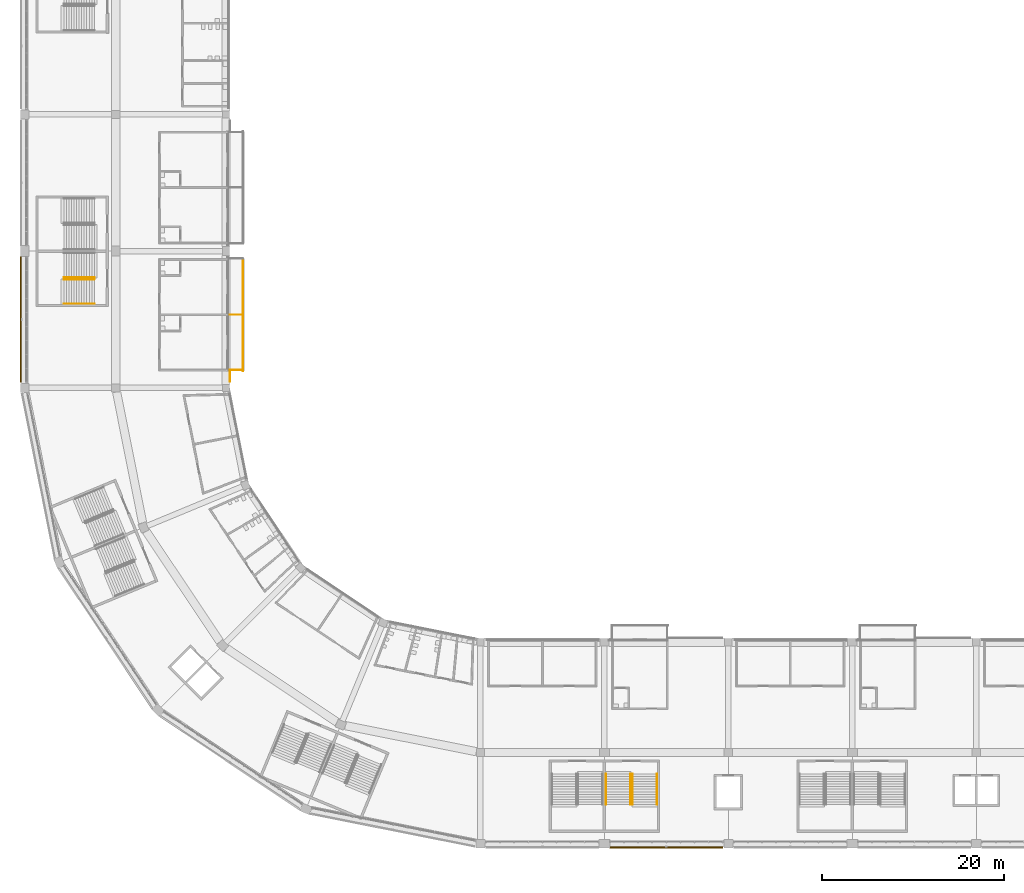
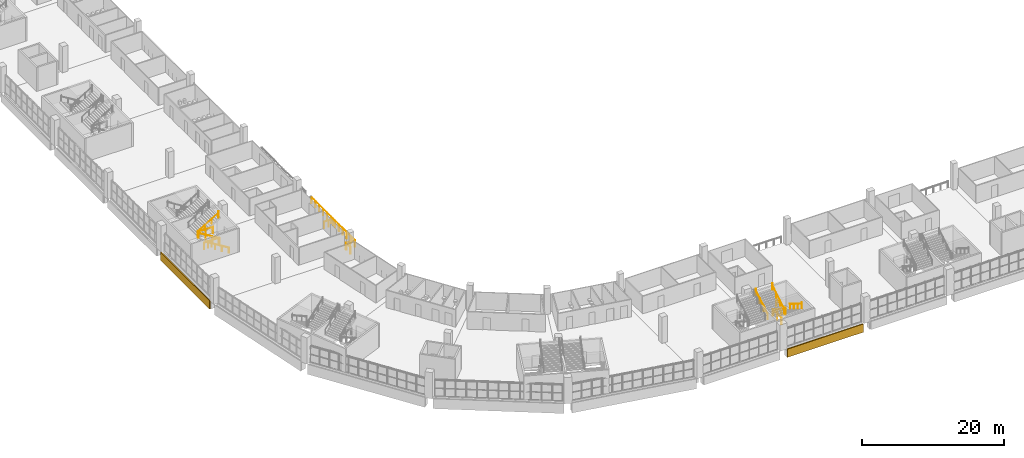
# One storey, part 184 of 199: 15 railings, 2 coverings.
"""IFC4 building model written with IfcOpenShell, lengths in metres."""

import ifcopenshell
import ifcopenshell.guid

model = None  # the IFC model being written
_history = None  # IfcOwnerHistory: only IFC2X3 demands one
_inside = {}  # id of a spatial element -> (the spatial element, [elements in it])
_under = {}  # id of a project, library or spatial element -> (it, [spatial elements below it])
_declared = {}  # id of a project -> (the project, [libraries it declares])
_typed = {}  # id of a type object -> (the type object, [elements of that type])
_made_of = {}  # id of a material, layer set ... -> (it, [elements and type objects made of it])


def new_model(schema):
    """Start an empty IFC model of exactly this schema.

    Asked for "IFC4X3", IfcOpenShell would pick the latest addendum, in which some entities
    have other attributes; the version numbers below select the first issue.
    IFC2X3 requires an IfcOwnerHistory on every rooted entity: one is made here for all.
    """
    global model, _history
    if schema == "IFC4X3":
        model = ifcopenshell.file(schema_version=(4, 3, 0, 0))
    else:
        model = ifcopenshell.file(schema=schema)
    _inside.clear()
    _under.clear()
    _declared.clear()
    _typed.clear()
    _made_of.clear()
    _history = None
    if model.schema == "IFC2X3":
        org = make("IfcOrganization", Name="unknown")
        user = make(
            "IfcPersonAndOrganization",
            ThePerson=make("IfcPerson", FamilyName="unknown"),
            TheOrganization=org,
        )
        app = make(
            "IfcApplication",
            ApplicationDeveloper=org,
            Version="unknown",
            ApplicationFullName="unknown",
            ApplicationIdentifier="unknown",
        )
        _history = make(
            "IfcOwnerHistory",
            OwningUser=user,
            OwningApplication=app,
            ChangeAction="ADDED",
            CreationDate=0,
        )
    return model


def make(cls, **values):
    """One entity of the class cls with the attributes given. An attribute that is None is left unset."""
    return model.create_entity(
        cls, **{name: value for name, value in values.items() if value is not None}
    )


def rooted(cls, **values):
    """An entity with a GlobalId (a new one), such as an element, a storey or a relation."""
    return make(cls, GlobalId=ifcopenshell.guid.new(), OwnerHistory=_history, **values)


def si_unit(unit_type, name, prefix=None):
    """IfcSIUnit, for example si_unit("LENGTHUNIT", "METRE", prefix="MILLI")."""
    return make("IfcSIUnit", UnitType=unit_type, Prefix=prefix, Name=name)


def assignment(units):
    """IfcUnitAssignment: the units of a project."""
    return None if units is None else make("IfcUnitAssignment", Units=units)


def point(xyz):
    """IfcCartesianPoint."""
    return None if xyz is None else make("IfcCartesianPoint", Coordinates=xyz)


def direction(xyz):
    """IfcDirection."""
    return None if xyz is None else make("IfcDirection", DirectionRatios=xyz)


def frame(location, z_axis=None, x_axis=None):
    """IfcAxis2Placement3D, a coordinate frame: its origin and axes. An axis left out is left unset."""
    return make(
        "IfcAxis2Placement3D",
        Location=point(location),
        Axis=direction(z_axis),
        RefDirection=direction(x_axis),
    )


def frame_2d(location, x_axis=None):
    """IfcAxis2Placement2D, a coordinate frame in the plane: its origin and x axis."""
    return make(
        "IfcAxis2Placement2D", Location=point(location), RefDirection=direction(x_axis)
    )


def origin():
    """The frame at (0, 0, 0) with its axes left unset."""
    return frame((0.0, 0.0, 0.0))


def origin_2d():
    """The frame at (0, 0) in the plane with its x axis left unset."""
    return frame_2d((0.0, 0.0))


def place(relative_to, where):
    """IfcLocalPlacement: puts the frame where relative to a parent placement (None: the world)."""
    return make(
        "IfcLocalPlacement", PlacementRelTo=relative_to, RelativePlacement=where
    )


def context(
    kind, dimensions, precision=None, world=None, true_north=None, identifier=None
):
    """IfcGeometricRepresentationContext, for example the 3D "Model" context."""
    return make(
        "IfcGeometricRepresentationContext",
        ContextIdentifier=identifier,
        ContextType=kind,
        CoordinateSpaceDimension=dimensions,
        Precision=precision,
        WorldCoordinateSystem=world,
        TrueNorth=true_north,
    )


def subcontext(parent, identifier, kind, view, scale=None):
    """IfcGeometricRepresentationSubContext, for example "Body" below "Model"."""
    return make(
        "IfcGeometricRepresentationSubContext",
        ContextIdentifier=identifier,
        ContextType=kind,
        ParentContext=parent,
        TargetScale=scale,
        TargetView=view,
    )


def project(units=None, contexts=None):
    """IfcProject with its units and contexts."""
    return rooted(
        "IfcProject",
        Name="project",
        RepresentationContexts=contexts,
        UnitsInContext=assignment(units),
    )


def spatial(cls, under=None, at=None, **own):
    """A site, building, storey or space (cls), placed at a placement, below another one or the project."""
    s = rooted(cls, ObjectPlacement=at, **own)
    if under is not None:
        _under.setdefault(under.id(), (under, []))[1].append(s)
    return s


def polyline(points):
    """IfcPolyline through the points."""
    return make("IfcPolyline", Points=[point(p) for p in points])


def profile(cls, at=None, kind="AREA", **sizes):
    """A parametric profile (cls). Its sizes go by their IFC names, for example OverallWidth=200.0."""
    return make(cls, ProfileType=kind, Position=at, **sizes)


def circle(**sizes):
    """IfcCircleProfileDef."""
    return profile("IfcCircleProfileDef", **sizes)


def outline(outer, holes=None, kind="AREA"):
    """IfcArbitraryClosedProfileDef: a profile drawn as a closed curve; with holes, ...WithVoids."""
    if holes is None:
        return make("IfcArbitraryClosedProfileDef", ProfileType=kind, OuterCurve=outer)
    return make(
        "IfcArbitraryProfileDefWithVoids",
        ProfileType=kind,
        OuterCurve=outer,
        InnerCurves=holes,
    )


def extrude(swept, where, along, depth):
    """IfcExtrudedAreaSolid: the profile swept, set in the frame where, extruded along a direction by depth."""
    return make(
        "IfcExtrudedAreaSolid",
        SweptArea=swept,
        Position=where,
        ExtrudedDirection=direction(along),
        Depth=depth,
    )


def shape(context_of_items, identifier, shape_type, items):
    """IfcShapeRepresentation: the items that make up one representation, for example the "Body"."""
    return make(
        "IfcShapeRepresentation",
        ContextOfItems=context_of_items,
        RepresentationIdentifier=identifier,
        RepresentationType=shape_type,
        Items=items,
    )


def material(Name=None, Category=None):
    """IfcMaterial."""
    return make("IfcMaterial", Name=Name, Category=Category)


def layer(
    of_material, thickness, ventilated=None, Name=None, Category=None, Priority=None
):
    """IfcMaterialLayer: one layer of a wall or slab, of a material (None: an air gap)."""
    return make(
        "IfcMaterialLayer",
        Material=of_material,
        LayerThickness=thickness,
        IsVentilated=ventilated,
        Name=Name,
        Category=Category,
        Priority=Priority,
    )


def layer_set(layers, Name=None):
    """IfcMaterialLayerSet."""
    return make("IfcMaterialLayerSet", MaterialLayers=layers, LayerSetName=Name)


def made_of(thing, what):
    """Note that an element or type object is made of a material, layer set ...; save() writes the relation."""
    if what is not None:
        _made_of.setdefault(what.id(), (what, []))[1].append(thing)
    return thing


def type_object(cls, material=None, **own):
    """A type object (cls), such as IfcWallType, which elements share."""
    return made_of(rooted(cls, **own), material)


def element(
    cls,
    number,
    at=None,
    inside=None,
    cuts=None,
    type_object=None,
    material=None,
    context=None,
    identifier="Body",
    shape_type=None,
    held_by="IfcProductDefinitionShape",
    body=None,
    shapes=None,
    **own,
):
    """One element of the class cls, such as IfcWall. Its Tag is "e" and its number.

    at: its placement. inside: the storey or other place that contains it. cuts: it is an
    opening in that element (IfcRelVoidsElement). A single representation is given by context,
    identifier, shape_type and body (its items); several are given by shapes. held_by: the class
    of the entity that holds the representations. save() writes the other relations.
    """
    e = rooted(cls, Tag="e%d" % number, ObjectPlacement=at, **own)
    if body is not None:
        shapes = [shape(context, identifier, shape_type, body)]
    if shapes is not None:
        e.Representation = make(held_by, Representations=shapes)
    if inside is not None:
        _inside.setdefault(inside.id(), (inside, []))[1].append(e)
    if cuts is not None:
        rooted(
            "IfcRelVoidsElement", RelatingBuildingElement=cuts, RelatedOpeningElement=e
        )
    if type_object is not None:
        _typed.setdefault(type_object.id(), (type_object, []))[1].append(e)
    return made_of(e, material)


def aggregate(whole, parts):
    """IfcRelAggregates: a whole, such as a stair, and the parts it consists of."""
    return rooted("IfcRelAggregates", RelatingObject=whole, RelatedObjects=parts)


def save(model, path):
    """Write the relations noted so far, then the file.

    IfcRelAggregates (storeys below a building ...), IfcRelContainedInSpatialStructure (elements
    in a storey), IfcRelDefinesByType, IfcRelAssociatesMaterial and IfcRelDeclares: one each for
    every whole, place, type object, material and project.
    """
    for whole, parts in _under.values():
        aggregate(whole, parts)
    for where, things in _inside.values():
        rooted(
            "IfcRelContainedInSpatialStructure",
            RelatedElements=things,
            RelatingStructure=where,
        )
    for kind, things in _typed.values():
        rooted("IfcRelDefinesByType", RelatedObjects=things, RelatingType=kind)
    for what, things in _made_of.values():
        rooted("IfcRelAssociatesMaterial", RelatedObjects=things, RelatingMaterial=what)
    for by, libraries in _declared.values():
        rooted("IfcRelDeclares", RelatingContext=by, RelatedDefinitions=libraries)
    model.write(path)


model = new_model("IFC4")

# Units and contexts
model_context = context("Model", 3, precision=1e-05, world=origin(), true_north=direction((0.0, 1.0)))
body_context = subcontext(model_context, "Body", "Model", "MODEL_VIEW")
ifc_project = project(units=[si_unit("LENGTHUNIT", "METRE"), si_unit("AREAUNIT", "SQUARE_METRE"), si_unit("VOLUMEUNIT", "CUBIC_METRE"), si_unit("PLANEANGLEUNIT", "RADIAN"), si_unit("MASSUNIT", "GRAM", prefix="KILO")], contexts=[model_context])

# Site, building, storey
site_placement = place(None, origin())
site = spatial("IfcSite", under=ifc_project, at=site_placement, CompositionType="ELEMENT")
building_placement = place(site_placement, origin())
building = spatial("IfcBuilding", under=site, at=building_placement, Name="Ogive Plaza Stadium", CompositionType="ELEMENT")
storey_placement = place(building_placement, frame((0.0, 0.0, 9.0)))
storey = spatial("IfcBuildingStorey", under=building, at=storey_placement, Name="L02", CompositionType="ELEMENT", Elevation=9.0)

# Railings
ifc_material_1 = material(Name="Steel ASTM A572 Grade 50", Category="steel")
railing_type_1 = type_object("IfcRailingType", Name="Guard 1100", PredefinedType="GUARDRAIL", material=ifc_material_1)
for number, where, name in (
    (1, (-17.425048828125, -94.85009765625, 0.0), "Stair well guard ST16B L02"),
    (2, (-17.425048828125, -95.81005859375, 2.25), "Stair well guard ST16B L02"),
):
    element("IfcRailing", number, at=place(storey_placement, frame(where)), inside=storey, type_object=railing_type_1, Name=name, PredefinedType="GUARDRAIL", context=body_context, shape_type="SweptSolid", body=[
        extrude(circle(Radius=0.02392578125, at=origin_2d()), frame((0.0, 0.0, 1.076171875), z_axis=(0.0, -1.0, 0.0), x_axis=(1.0, 0.0, 0.0)), (0.0, 0.0, 1.0), 2.39990234375),
        extrude(circle(Radius=0.02099609375, at=origin_2d()), origin(), (0.0, 0.0, 1.0), 1.052001953125),
        extrude(circle(Radius=0.02099609375, at=origin_2d()), frame((0.0, -1.199951171875, 0.0)), (0.0, 0.0, 1.0), 1.052001953125),
        extrude(circle(Radius=0.02099609375, at=origin_2d()), frame((0.0, -2.39990234375, 0.0)), (0.0, 0.0, 1.0), 1.052001953125),
    ])
for number, where, name in (
    (3, (-76.35009765625, -40.47509765625, 0.0), "Stair well guard ST22B L02"),
    (4, (-77.31005859375, -40.47509765625, 2.25), "Stair well guard ST22B L02"),
):
    element("IfcRailing", number, at=place(storey_placement, frame(where)), inside=storey, type_object=railing_type_1, Name=name, PredefinedType="GUARDRAIL", context=body_context, shape_type="SweptSolid", body=[
        extrude(circle(Radius=0.02392578125, at=origin_2d()), frame((0.0, 0.0, 1.076171875), z_axis=(-1.0, 0.0, 0.0), x_axis=(0.0, -1.0, 0.0)), (0.0, 0.0, 1.0), 2.39990234375),
        extrude(circle(Radius=0.02099609375, at=origin_2d()), origin(), (0.0, 0.0, 1.0), 1.052001953125),
        extrude(circle(Radius=0.02099609375, at=origin_2d()), frame((-1.199951171875, 0.0, 0.0)), (0.0, 0.0, 1.0), 1.052001953125),
        extrude(circle(Radius=0.02099609375, at=origin_2d()), frame((-2.39990234375, 0.0, 0.0)), (0.0, 0.0, 1.0), 1.052001953125),
    ])
railing_1_placement = place(storey_placement, frame((-60.050048828125, -38.324951171875, 0.0)))
element("IfcRailing", 5, at=railing_1_placement, inside=storey, type_object=railing_type_1, Name="Terrace guard B21", PredefinedType="GUARDRAIL", context=body_context, shape_type="SweptSolid", body=[
    extrude(circle(Radius=0.02392578125, at=origin_2d()), frame((0.0, 0.0, 1.076171875), z_axis=(0.0, -1.0, 0.0), x_axis=(1.0, 0.0, 0.0)), (0.0, 0.0, 1.0), 12.300048828125),
    extrude(circle(Radius=0.02099609375, at=origin_2d()), origin(), (0.0, 0.0, 1.0), 1.052001953125),
    extrude(circle(Radius=0.02099609375, at=origin_2d()), frame((0.0, -1.1181640625, 0.0)), (0.0, 0.0, 1.0), 1.052001953125),
    extrude(circle(Radius=0.02099609375, at=origin_2d()), frame((0.0, -2.236328125, 0.0)), (0.0, 0.0, 1.0), 1.052001953125),
    extrude(circle(Radius=0.02099609375, at=origin_2d()), frame((0.0, -3.3544921875, 0.0)), (0.0, 0.0, 1.0), 1.052001953125),
    extrude(circle(Radius=0.02099609375, at=origin_2d()), frame((0.0, -4.47265625, 0.0)), (0.0, 0.0, 1.0), 1.052001953125),
    extrude(circle(Radius=0.02099609375, at=origin_2d()), frame((0.0, -5.5908203125, 0.0)), (0.0, 0.0, 1.0), 1.052001953125),
    extrude(circle(Radius=0.02099609375, at=origin_2d()), frame((0.0, -6.709228515625, 0.0)), (0.0, 0.0, 1.0), 1.052001953125),
    extrude(circle(Radius=0.02099609375, at=origin_2d()), frame((0.0, -7.827392578125, 0.0)), (0.0, 0.0, 1.0), 1.052001953125),
    extrude(circle(Radius=0.02099609375, at=origin_2d()), frame((0.0, -8.945556640625, 0.0)), (0.0, 0.0, 1.0), 1.052001953125),
    extrude(circle(Radius=0.02099609375, at=origin_2d()), frame((0.0, -10.063720703125, 0.0)), (0.0, 0.0, 1.0), 1.052001953125),
    extrude(circle(Radius=0.02099609375, at=origin_2d()), frame((0.0, -11.181884765625, 0.0)), (0.0, 0.0, 1.0), 1.052001953125),
    extrude(circle(Radius=0.02099609375, at=origin_2d()), frame((0.0, -12.300048828125, 0.0)), (0.0, 0.0, 1.0), 1.052001953125),
])
railing_2_placement = place(storey_placement, frame((-61.449951171875, -50.625, 0.0)))
element("IfcRailing", 6, at=railing_2_placement, inside=storey, type_object=railing_type_1, Name="Floor edge guard B21", PredefinedType="GUARDRAIL", context=body_context, shape_type="SweptSolid", body=[
    extrude(circle(Radius=0.02392578125, at=origin_2d()), frame((0.0, 0.0, 1.076171875), z_axis=(0.0, -1.0, 0.0), x_axis=(1.0, 0.0, 0.0)), (0.0, 0.0, 1.0), 1.175048828125),
    extrude(circle(Radius=0.02099609375, at=origin_2d()), origin(), (0.0, 0.0, 1.0), 1.052001953125),
    extrude(circle(Radius=0.02099609375, at=origin_2d()), frame((0.0, -1.175048828125, 0.0)), (0.0, 0.0, 1.0), 1.052001953125),
])
for number, where, name in (
    (7, (-60.050048828125, -44.47509765625, 0.0), "Terrace screen B21"),
    (8, (-60.050048828125, -50.550048828125, 0.0), "Terrace screen B21"),
):
    element("IfcRailing", number, at=place(storey_placement, frame(where)), inside=storey, type_object=railing_type_1, Name=name, PredefinedType="GUARDRAIL", context=body_context, shape_type="SweptSolid", body=[
        extrude(circle(Radius=0.02392578125, at=origin_2d()), frame((0.0, 0.0, 1.076171875), z_axis=(-1.0, 0.0, 0.0), x_axis=(0.0, -1.0, 0.0)), (0.0, 0.0, 1.0), 1.449951171875),
        extrude(circle(Radius=0.02099609375, at=origin_2d()), origin(), (0.0, 0.0, 1.0), 1.052001953125),
        extrude(circle(Radius=0.02099609375, at=origin_2d()), frame((-0.72509765625, 0.0, 0.0)), (0.0, 0.0, 1.0), 1.052001953125),
        extrude(circle(Radius=0.02099609375, at=origin_2d()), frame((-1.449951171875, 0.0, 0.0)), (0.0, 0.0, 1.0), 1.052001953125),
    ])
ifc_material_2 = material(Name="Steel ASTM A572 Grade 50", Category="steel")
railing_type_2 = type_object("IfcRailingType", Name="Handrail 900", PredefinedType="HANDRAIL", material=ifc_material_2)
for number, where, name in (
    (9, (-17.31494140625, -94.85009765625, 0.173095703125), "Handrail ST16B L02"),
    (10, (-14.635009765625, -94.85009765625, 0.173095703125), "Handrail ST16B L02"),
):
    element("IfcRailing", number, at=place(storey_placement, frame(where)), inside=storey, type_object=railing_type_2, Name=name, PredefinedType="HANDRAIL", context=body_context, shape_type="SweptSolid", body=[
        extrude(circle(Radius=0.02392578125, at=origin_2d()), frame((0.0, 0.0, 0.8759765625), z_axis=(0.0, -0.850606129759, 0.525803396734), x_axis=(1.0, 0.0, 0.0)), (0.0, 0.0, 1.0), 3.949951171875),
        extrude(circle(Radius=0.02099609375, at=origin_2d()), origin(), (0.0, 0.0, 1.0), 0.851806640625),
        extrude(circle(Radius=0.02099609375, at=origin_2d()), frame((0.0, -1.119873046875, 0.6923828125)), (0.0, 0.0, 1.0), 0.851806640625),
        extrude(circle(Radius=0.02099609375, at=origin_2d()), frame((0.0, -2.239990234375, 1.384521484375)), (0.0, 0.0, 1.0), 0.851806640625),
        extrude(circle(Radius=0.02099609375, at=origin_2d()), frame((0.0, -3.35986328125, 2.076904296875)), (0.0, 0.0, 1.0), 1.10009765625),
    ])
for number, where, name in (
    (11, (-20.215087890625, -98.2099609375, 2.423095703125), "Handrail ST16B L02"),
    (12, (-17.534912109375, -98.2099609375, 2.423095703125), "Handrail ST16B L02"),
):
    element("IfcRailing", number, at=place(storey_placement, frame(where)), inside=storey, type_object=railing_type_2, Name=name, PredefinedType="HANDRAIL", context=body_context, shape_type="SweptSolid", body=[
        extrude(circle(Radius=0.02392578125, at=origin_2d()), frame((0.0, 0.0, 0.8759765625), z_axis=(0.0, 0.850606129759, 0.525803396734), x_axis=(-1.0, 0.0, 0.0)), (0.0, 0.0, 1.0), 3.949951171875),
        extrude(circle(Radius=0.02099609375, at=origin_2d()), origin(), (0.0, 0.0, 1.0), 0.851806640625),
        extrude(circle(Radius=0.02099609375, at=origin_2d()), frame((0.0, 1.119873046875, 0.6923828125)), (0.0, 0.0, 1.0), 0.851806640625),
        extrude(circle(Radius=0.02099609375, at=origin_2d()), frame((0.0, 2.239990234375, 1.384521484375)), (0.0, 0.0, 1.0), 0.851806640625),
        extrude(circle(Radius=0.02099609375, at=origin_2d()), frame((0.0, 3.35986328125, 2.076904296875)), (0.0, 0.0, 1.0), 1.10009765625),
    ])
for number, where, name in (
    (13, (-76.35009765625, -40.5849609375, 0.173095703125), "Handrail ST22B L02"),
    (14, (-76.35009765625, -43.264892578125, 0.173095703125), "Handrail ST22B L02"),
):
    element("IfcRailing", number, at=place(storey_placement, frame(where)), inside=storey, type_object=railing_type_2, Name=name, PredefinedType="HANDRAIL", context=body_context, shape_type="SweptSolid", body=[
        extrude(circle(Radius=0.02392578125, at=origin_2d()), frame((0.0, 0.0, 0.8759765625), z_axis=(-0.850606129759, 0.0, 0.525803396734), x_axis=(0.0, -1.0, 0.0)), (0.0, 0.0, 1.0), 3.949951171875),
        extrude(circle(Radius=0.02099609375, at=origin_2d()), origin(), (0.0, 0.0, 1.0), 0.851806640625),
        extrude(circle(Radius=0.02099609375, at=origin_2d()), frame((-1.119873046875, 0.0, 0.6923828125)), (0.0, 0.0, 1.0), 0.851806640625),
        extrude(circle(Radius=0.02099609375, at=origin_2d()), frame((-2.239990234375, 0.0, 1.384521484375)), (0.0, 0.0, 1.0), 0.851806640625),
        extrude(circle(Radius=0.02099609375, at=origin_2d()), frame((-3.35986328125, 0.0, 2.076904296875)), (0.0, 0.0, 1.0), 1.10009765625),
    ])
railing_3_placement = place(storey_placement, frame((-79.7099609375, -40.364990234375, 2.423095703125)))
element("IfcRailing", 15, at=railing_3_placement, inside=storey, type_object=railing_type_2, Name="Handrail ST22B L02", PredefinedType="HANDRAIL", context=body_context, shape_type="SweptSolid", body=[
    extrude(circle(Radius=0.02392578125, at=origin_2d()), frame((0.0, 0.0, 0.8759765625), z_axis=(0.850606129759, 0.0, 0.525803396734), x_axis=(0.0, 1.0, 0.0)), (0.0, 0.0, 1.0), 3.949951171875),
    extrude(circle(Radius=0.02099609375, at=origin_2d()), origin(), (0.0, 0.0, 1.0), 0.851806640625),
    extrude(circle(Radius=0.02099609375, at=origin_2d()), frame((1.119873046875, 0.0, 0.6923828125)), (0.0, 0.0, 1.0), 0.851806640625),
    extrude(circle(Radius=0.02099609375, at=origin_2d()), frame((2.239990234375, 0.0, 1.384521484375)), (0.0, 0.0, 1.0), 0.851806640625),
    extrude(circle(Radius=0.02099609375, at=origin_2d()), frame((3.35986328125, 0.0, 2.076904296875)), (0.0, 0.0, 1.0), 1.10009765625),
])

# Coverings
ifc_material_3 = material(Name="Cast stone (reconstituted limestone)", Category="masonry")
ifc_layer = layer(ifc_material_3, 0.159912109375)
ifc_layer_set = layer_set([ifc_layer], Name="Precast spandrel cladding 160")
covering_type = type_object("IfcCoveringType", Name="Precast spandrel cladding 160", PredefinedType="CLADDING", material=ifc_layer_set)
covering_1_placement = place(storey_placement, frame((0.0, 0.0, -1.409912109375)))
element("IfcCovering", 16, at=covering_1_placement, inside=storey, type_object=covering_type, Name="SPANDREL CLADDING B15 L02", PredefinedType="CLADDING", context=body_context, shape_type="SweptSolid", body=[
    extrude(outline(polyline([(-7.39990234375, -102.85009765625), (-19.800048828125, -102.85009765625), (-19.800048828125, -103.010009765625), (-7.39990234375, -103.010009765625), (-7.39990234375, -102.85009765625)])), origin(), (0.0, 0.0, 1.0), 1.409912109375),
])
covering_2_placement = place(storey_placement, frame((0.0, 0.0, -1.409912109375)))
element("IfcCovering", 17, at=covering_2_placement, inside=storey, type_object=covering_type, Name="SPANDREL CLADDING B21 L02", PredefinedType="CLADDING", context=body_context, shape_type="SweptSolid", body=[
    extrude(outline(polyline([(-84.35009765625, -51.89990234375), (-84.35009765625, -38.10009765625), (-84.510009765625, -38.10009765625), (-84.510009765625, -51.89990234375), (-84.35009765625, -51.89990234375)])), origin(), (0.0, 0.0, 1.0), 1.409912109375),
])

save(model, "model.ifc")
